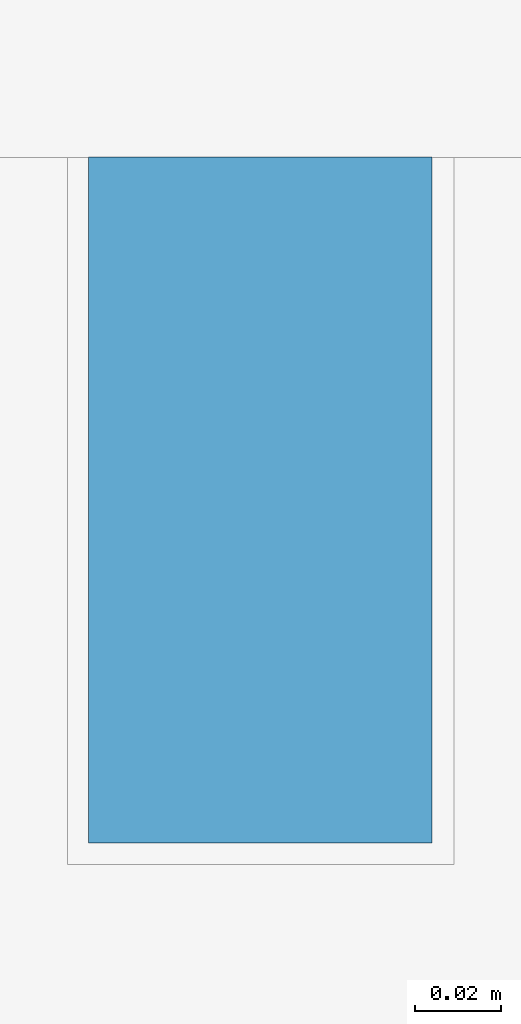
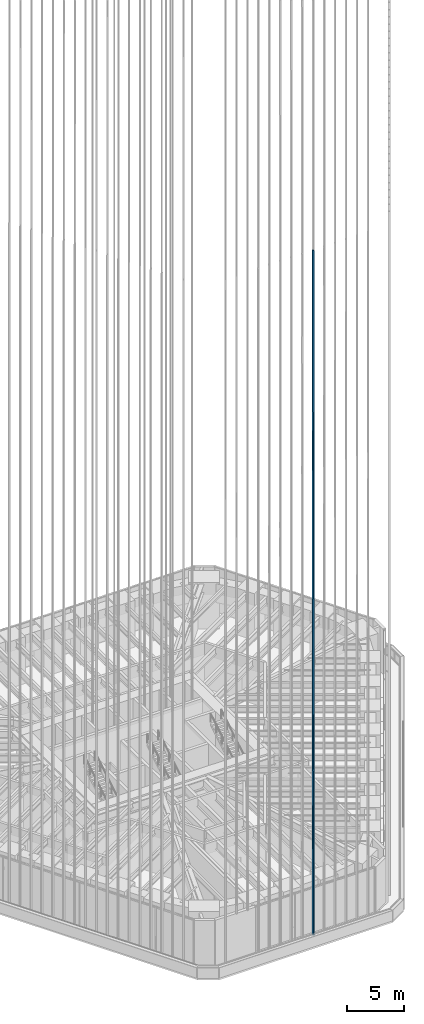
# One storey, part 38 of 228: 1 member, 1 element without a shape of its own.
"""IFC4 building model written with IfcOpenShell, lengths in metres."""

from ifc_helpers import new_model, si_unit, direction, frame, origin, origin_2d, place, context, subcontext, project, spatial, rectangle, extrude, material, material_profile, profile_set, type_object, element, aggregate, save


model = new_model("IFC4")

# Units and contexts
model_context = context("Model", 3, precision=1e-05, world=origin(), true_north=direction((0.0, 1.0)))
body_context = subcontext(model_context, "Body", "Model", "MODEL_VIEW")
ifc_project = project(units=[si_unit("LENGTHUNIT", "METRE"), si_unit("AREAUNIT", "SQUARE_METRE"), si_unit("VOLUMEUNIT", "CUBIC_METRE"), si_unit("PLANEANGLEUNIT", "RADIAN"), si_unit("MASSUNIT", "GRAM", prefix="KILO")], contexts=[model_context])

# Site, building, storey
site_placement = place(None, origin())
site = spatial("IfcSite", under=ifc_project, at=site_placement, CompositionType="ELEMENT")
building_placement = place(site_placement, origin())
building = spatial("IfcBuilding", under=site, at=building_placement, Name="Sandreach Pilgrim Tower", CompositionType="ELEMENT")
storey_placement = place(building_placement, frame((0.0, 0.0, 178.199951171875)))
storey = spatial("IfcBuildingStorey", under=building, at=storey_placement, Name="L44", CompositionType="ELEMENT", Elevation=178.199951171875)

# Curtain wall, member
ifc_material_1 = material(Name="Aluminium framed curtain wall", Category="aluminium")
curtain_wall_type = type_object("IfcCurtainWallType", Name="Upper hotel tower curtain wall", PredefinedType="NOTDEFINED", material=ifc_material_1)
curtain_wall_placement = place(storey_placement, origin())
curtain_wall = element("IfcCurtainWall", 1, at=curtain_wall_placement, inside=storey, type_object=curtain_wall_type, Name="CW-3 L44 SA", PredefinedType="NOTDEFINED")
ifc_material_2 = material(Name="Extruded terracotta on aluminium core", Category="masonry")
ifc_material_profile = material_profile(ifc_material_2, rectangle(XDim=0.080078125, YDim=0.159912109375, at=origin_2d()), Name="TBS 80X160")
ifc_profile_set = profile_set([ifc_material_profile], Name="Extruded terracotta on aluminium core")
member_type = type_object("IfcMemberType", Name="Terracotta baguette south", PredefinedType="USERDEFINED", material=ifc_profile_set)
member_placement = place(storey_placement, frame((1.663330078125, -26.905029296875, 0.0), z_axis=(0.0, 0.0, 1.0), x_axis=(-1.0, 0.0, 0.0)))
member = element("IfcMember", 2, at=member_placement, type_object=member_type, Name="Baguette Z3 S06", ObjectType="BAGUETTE", PredefinedType="USERDEFINED", context=body_context, shape_type="SweptSolid", body=[
    extrude(rectangle(XDim=0.080078125, YDim=0.159912109375, at=origin_2d()), origin(), (0.0, 0.0, 1.0), 73.239990234375),
])
aggregate(curtain_wall, [member])

save(model, "model.ifc")
